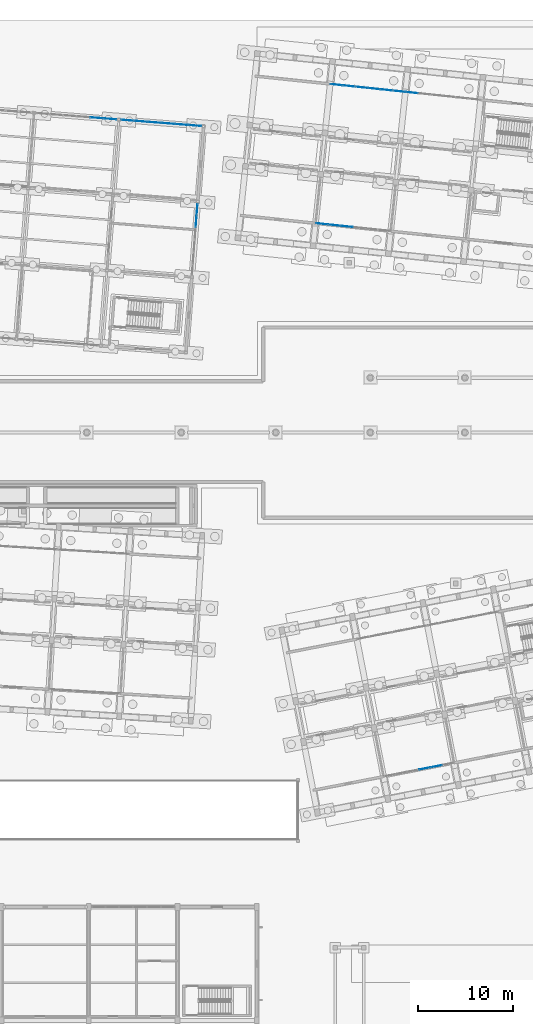
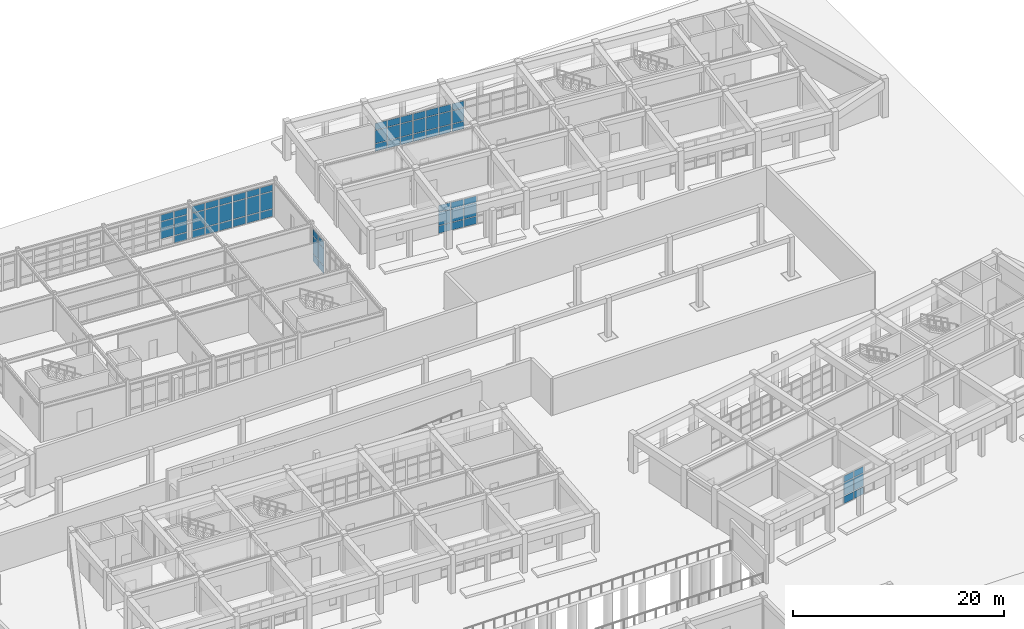
# One storey, part 112 of 154: 65 plates, 7 elements without a shape of their own.
"""IFC4 building model written with IfcOpenShell, lengths in metres."""

from ifc_helpers import new_model, si_unit, direction, frame, origin, origin_2d, place, context, subcontext, project, spatial, rectangle, extrude, material, layer, layer_set, type_object, element, aggregate, save


model = new_model("IFC4")

# Units and contexts
model_context = context("Model", 3, precision=1e-05, world=origin(), true_north=direction((0.0, 1.0)))
body_context = subcontext(model_context, "Body", "Model", "MODEL_VIEW")
ifc_project = project(units=[si_unit("LENGTHUNIT", "METRE"), si_unit("AREAUNIT", "SQUARE_METRE"), si_unit("VOLUMEUNIT", "CUBIC_METRE"), si_unit("PLANEANGLEUNIT", "RADIAN"), si_unit("MASSUNIT", "GRAM", prefix="KILO")], contexts=[model_context])

# Site, building, storey
site_placement = place(None, origin())
site = spatial("IfcSite", under=ifc_project, at=site_placement, CompositionType="ELEMENT")
building_placement = place(site_placement, origin())
building = spatial("IfcBuilding", under=site, at=building_placement, Name="Kestramere Prow Commons", CompositionType="ELEMENT")
storey_placement = place(building_placement, origin())
storey = spatial("IfcBuildingStorey", under=building, at=storey_placement, Name="L00", CompositionType="ELEMENT", Elevation=0.0)

# Curtain wall, plates
ifc_material_1 = material(Name="Anodised Aluminium and Low-E Glass", Category="aluminium")
curtain_wall_type_1 = type_object("IfcCurtainWallType", Name="CW-05 Glazed Curtain Wall 7980x3350", PredefinedType="USERDEFINED", material=ifc_material_1)
curtain_wall_1_placement = place(storey_placement, origin())
curtain_wall_1 = element("IfcCurtainWall", 1, at=curtain_wall_1_placement, inside=storey, type_object=curtain_wall_type_1, Name="Block B L00 South Colonnade Storefront 2", ObjectType="GLAZED CURTAIN WALL", PredefinedType="USERDEFINED")
ifc_material_2 = material(Name="Low-E Laminated Double Glazing", Category="glass")
ifc_layer = layer(ifc_material_2, 0.028076171875)
ifc_layer_set = layer_set([ifc_layer], Name="Low-E Laminated Double Glazing")
plate_type = type_object("IfcPlateType", Name="CW-PNL-28", PredefinedType="CURTAIN_PANEL", material=ifc_layer_set)
plate_1_placement = place(storey_placement, frame((121.523681640625, 96.001953125, 0.06494140625), z_axis=(0.0, 0.0, 1.0), x_axis=(-0.994521883132, 0.104528579686, 0.0)))
plate_1 = element("IfcPlate", 2, at=plate_1_placement, type_object=plate_type, Name="CW-05 panel 4.1", PredefinedType="CURTAIN_PANEL", context=body_context, shape_type="SweptSolid", body=[
    extrude(rectangle(XDim=1.264892578125, YDim=0.028076171875, at=origin_2d()), origin(), (0.0, 0.0, 1.0), 0.8525390625),
])
plate_2_placement = place(storey_placement, frame((121.523681640625, 96.001953125, 0.982421875), z_axis=(0.0, 0.0, 1.0), x_axis=(-0.994521883132, 0.104528579686, 0.0)))
plate_2 = element("IfcPlate", 3, at=plate_2_placement, type_object=plate_type, Name="CW-05 panel 4.2", PredefinedType="CURTAIN_PANEL", context=body_context, shape_type="SweptSolid", body=[
    extrude(rectangle(XDim=1.264892578125, YDim=0.028076171875, at=origin_2d()), origin(), (0.0, 0.0, 1.0), 1.485107421875),
])
plate_3_placement = place(storey_placement, frame((121.523681640625, 96.001953125, 2.532470703125), z_axis=(0.0, 0.0, 1.0), x_axis=(-0.994521883132, 0.104528579686, 0.0)))
plate_3 = element("IfcPlate", 4, at=plate_3_placement, type_object=plate_type, Name="CW-05 panel 4.3", PredefinedType="CURTAIN_PANEL", context=body_context, shape_type="SweptSolid", body=[
    extrude(rectangle(XDim=1.264892578125, YDim=0.028076171875, at=origin_2d()), origin(), (0.0, 0.0, 1.0), 0.75244140625),
])
plate_4_placement = place(storey_placement, frame((120.201171875, 96.14111328125, 0.06494140625), z_axis=(0.0, 0.0, 1.0), x_axis=(-0.994521883132, 0.104528579686, 0.0)))
plate_4 = element("IfcPlate", 5, at=plate_4_placement, type_object=plate_type, Name="CW-05 panel 5.1", PredefinedType="CURTAIN_PANEL", context=body_context, shape_type="SweptSolid", body=[
    extrude(rectangle(XDim=1.264892578125, YDim=0.028076171875, at=origin_2d()), origin(), (0.0, 0.0, 1.0), 0.8525390625),
])
plate_5_placement = place(storey_placement, frame((120.201171875, 96.14111328125, 0.982421875), z_axis=(0.0, 0.0, 1.0), x_axis=(-0.994521883132, 0.104528579686, 0.0)))
plate_5 = element("IfcPlate", 6, at=plate_5_placement, type_object=plate_type, Name="CW-05 panel 5.2", PredefinedType="CURTAIN_PANEL", context=body_context, shape_type="SweptSolid", body=[
    extrude(rectangle(XDim=1.264892578125, YDim=0.028076171875, at=origin_2d()), origin(), (0.0, 0.0, 1.0), 1.485107421875),
])
plate_6_placement = place(storey_placement, frame((120.201171875, 96.14111328125, 2.532470703125), z_axis=(0.0, 0.0, 1.0), x_axis=(-0.994521883132, 0.104528579686, 0.0)))
plate_6 = element("IfcPlate", 7, at=plate_6_placement, type_object=plate_type, Name="CW-05 panel 5.3", PredefinedType="CURTAIN_PANEL", context=body_context, shape_type="SweptSolid", body=[
    extrude(rectangle(XDim=1.264892578125, YDim=0.028076171875, at=origin_2d()), origin(), (0.0, 0.0, 1.0), 0.75244140625),
])
plate_7_placement = place(storey_placement, frame((118.89453125, 96.2783203125, 0.06494140625), z_axis=(0.0, 0.0, 1.0), x_axis=(-0.994521883132, 0.104528579686, 0.0)))
plate_7 = element("IfcPlate", 8, at=plate_7_placement, type_object=plate_type, Name="CW-05 panel 6.1", PredefinedType="CURTAIN_PANEL", context=body_context, shape_type="SweptSolid", body=[
    extrude(rectangle(XDim=1.232421875, YDim=0.028076171875, at=origin_2d()), origin(), (0.0, 0.0, 1.0), 0.8525390625),
])
plate_8_placement = place(storey_placement, frame((118.89453125, 96.2783203125, 0.982421875), z_axis=(0.0, 0.0, 1.0), x_axis=(-0.994521883132, 0.104528579686, 0.0)))
plate_8 = element("IfcPlate", 9, at=plate_8_placement, type_object=plate_type, Name="CW-05 panel 6.2", PredefinedType="CURTAIN_PANEL", context=body_context, shape_type="SweptSolid", body=[
    extrude(rectangle(XDim=1.232421875, YDim=0.028076171875, at=origin_2d()), origin(), (0.0, 0.0, 1.0), 1.485107421875),
])
plate_9_placement = place(storey_placement, frame((118.89453125, 96.2783203125, 2.532470703125), z_axis=(0.0, 0.0, 1.0), x_axis=(-0.994521883132, 0.104528579686, 0.0)))
plate_9 = element("IfcPlate", 10, at=plate_9_placement, type_object=plate_type, Name="CW-05 panel 6.3", PredefinedType="CURTAIN_PANEL", context=body_context, shape_type="SweptSolid", body=[
    extrude(rectangle(XDim=1.232421875, YDim=0.028076171875, at=origin_2d()), origin(), (0.0, 0.0, 1.0), 0.75244140625),
])
aggregate(curtain_wall_1, [plate_1, plate_2, plate_3, plate_4, plate_5, plate_6, plate_7, plate_8, plate_9])

curtain_wall_2_placement = place(storey_placement, origin())
curtain_wall_2 = element("IfcCurtainWall", 11, at=curtain_wall_2_placement, inside=storey, type_object=curtain_wall_type_1, Name="Block B L00 North Courtyard Storefront 2", ObjectType="GLAZED CURTAIN WALL", PredefinedType="USERDEFINED")
plate_10_placement = place(storey_placement, frame((120.44140625, 110.997314453125, 0.06494140625), z_axis=(0.0, 0.0, 1.0), x_axis=(0.994521884501, -0.104528566667, 0.0)))
plate_10 = element("IfcPlate", 12, at=plate_10_placement, type_object=plate_type, Name="CW-05 panel 1.1", PredefinedType="CURTAIN_PANEL", context=body_context, shape_type="SweptSolid", body=[
    extrude(rectangle(XDim=1.232421875, YDim=0.028076171875, at=origin_2d()), origin(), (0.0, 0.0, 1.0), 0.8525390625),
])
plate_11_placement = place(storey_placement, frame((120.44140625, 110.997314453125, 0.982421875), z_axis=(0.0, 0.0, 1.0), x_axis=(0.994521884501, -0.104528566667, 0.0)))
plate_11 = element("IfcPlate", 13, at=plate_11_placement, type_object=plate_type, Name="CW-05 panel 1.2", PredefinedType="CURTAIN_PANEL", context=body_context, shape_type="SweptSolid", body=[
    extrude(rectangle(XDim=1.232421875, YDim=0.028076171875, at=origin_2d()), origin(), (0.0, 0.0, 1.0), 1.485107421875),
])
plate_12_placement = place(storey_placement, frame((120.44140625, 110.997314453125, 2.532470703125), z_axis=(0.0, 0.0, 1.0), x_axis=(0.994521884501, -0.104528566667, 0.0)))
plate_12 = element("IfcPlate", 14, at=plate_12_placement, type_object=plate_type, Name="CW-05 panel 1.3", PredefinedType="CURTAIN_PANEL", context=body_context, shape_type="SweptSolid", body=[
    extrude(rectangle(XDim=1.232421875, YDim=0.028076171875, at=origin_2d()), origin(), (0.0, 0.0, 1.0), 0.75244140625),
])
plate_13_placement = place(storey_placement, frame((121.748046875, 110.85986328125, 0.06494140625), z_axis=(0.0, 0.0, 1.0), x_axis=(0.994521884501, -0.104528566667, 0.0)))
plate_13 = element("IfcPlate", 15, at=plate_13_placement, type_object=plate_type, Name="CW-05 panel 2.1", PredefinedType="CURTAIN_PANEL", context=body_context, shape_type="SweptSolid", body=[
    extrude(rectangle(XDim=1.264892578125, YDim=0.028076171875, at=origin_2d()), origin(), (0.0, 0.0, 1.0), 0.8525390625),
])
plate_14_placement = place(storey_placement, frame((121.748046875, 110.85986328125, 0.982421875), z_axis=(0.0, 0.0, 1.0), x_axis=(0.994521884501, -0.104528566667, 0.0)))
plate_14 = element("IfcPlate", 16, at=plate_14_placement, type_object=plate_type, Name="CW-05 panel 2.2", PredefinedType="CURTAIN_PANEL", context=body_context, shape_type="SweptSolid", body=[
    extrude(rectangle(XDim=1.264892578125, YDim=0.028076171875, at=origin_2d()), origin(), (0.0, 0.0, 1.0), 1.485107421875),
])
plate_15_placement = place(storey_placement, frame((121.748046875, 110.85986328125, 2.532470703125), z_axis=(0.0, 0.0, 1.0), x_axis=(0.994521884501, -0.104528566667, 0.0)))
plate_15 = element("IfcPlate", 17, at=plate_15_placement, type_object=plate_type, Name="CW-05 panel 2.3", PredefinedType="CURTAIN_PANEL", context=body_context, shape_type="SweptSolid", body=[
    extrude(rectangle(XDim=1.264892578125, YDim=0.028076171875, at=origin_2d()), origin(), (0.0, 0.0, 1.0), 0.75244140625),
])
plate_16_placement = place(storey_placement, frame((123.07080078125, 110.720947265625, 0.06494140625), z_axis=(0.0, 0.0, 1.0), x_axis=(0.994521884501, -0.104528566667, 0.0)))
plate_16 = element("IfcPlate", 18, at=plate_16_placement, type_object=plate_type, Name="CW-05 panel 3.1", PredefinedType="CURTAIN_PANEL", context=body_context, shape_type="SweptSolid", body=[
    extrude(rectangle(XDim=1.264892578125, YDim=0.028076171875, at=origin_2d()), origin(), (0.0, 0.0, 1.0), 0.8525390625),
])
plate_17_placement = place(storey_placement, frame((123.07080078125, 110.720947265625, 0.982421875), z_axis=(0.0, 0.0, 1.0), x_axis=(0.994521884501, -0.104528566667, 0.0)))
plate_17 = element("IfcPlate", 19, at=plate_17_placement, type_object=plate_type, Name="CW-05 panel 3.2", PredefinedType="CURTAIN_PANEL", context=body_context, shape_type="SweptSolid", body=[
    extrude(rectangle(XDim=1.264892578125, YDim=0.028076171875, at=origin_2d()), origin(), (0.0, 0.0, 1.0), 1.485107421875),
])
plate_18_placement = place(storey_placement, frame((123.07080078125, 110.720947265625, 2.532470703125), z_axis=(0.0, 0.0, 1.0), x_axis=(0.994521884501, -0.104528566667, 0.0)))
plate_18 = element("IfcPlate", 20, at=plate_18_placement, type_object=plate_type, Name="CW-05 panel 3.3", PredefinedType="CURTAIN_PANEL", context=body_context, shape_type="SweptSolid", body=[
    extrude(rectangle(XDim=1.264892578125, YDim=0.028076171875, at=origin_2d()), origin(), (0.0, 0.0, 1.0), 0.75244140625),
])
plate_19_placement = place(storey_placement, frame((124.3935546875, 110.58203125, 0.06494140625), z_axis=(0.0, 0.0, 1.0), x_axis=(0.994521884501, -0.104528566667, 0.0)))
plate_19 = element("IfcPlate", 21, at=plate_19_placement, type_object=plate_type, Name="CW-05 panel 4.1", PredefinedType="CURTAIN_PANEL", context=body_context, shape_type="SweptSolid", body=[
    extrude(rectangle(XDim=1.264892578125, YDim=0.028076171875, at=origin_2d()), origin(), (0.0, 0.0, 1.0), 0.8525390625),
])
plate_20_placement = place(storey_placement, frame((124.3935546875, 110.58203125, 0.982421875), z_axis=(0.0, 0.0, 1.0), x_axis=(0.994521884501, -0.104528566667, 0.0)))
plate_20 = element("IfcPlate", 22, at=plate_20_placement, type_object=plate_type, Name="CW-05 panel 4.2", PredefinedType="CURTAIN_PANEL", context=body_context, shape_type="SweptSolid", body=[
    extrude(rectangle(XDim=1.264892578125, YDim=0.028076171875, at=origin_2d()), origin(), (0.0, 0.0, 1.0), 1.485107421875),
])
plate_21_placement = place(storey_placement, frame((124.3935546875, 110.58203125, 2.532470703125), z_axis=(0.0, 0.0, 1.0), x_axis=(0.994521884501, -0.104528566667, 0.0)))
plate_21 = element("IfcPlate", 23, at=plate_21_placement, type_object=plate_type, Name="CW-05 panel 4.3", PredefinedType="CURTAIN_PANEL", context=body_context, shape_type="SweptSolid", body=[
    extrude(rectangle(XDim=1.264892578125, YDim=0.028076171875, at=origin_2d()), origin(), (0.0, 0.0, 1.0), 0.75244140625),
])
plate_22_placement = place(storey_placement, frame((125.71630859375, 110.44287109375, 0.06494140625), z_axis=(0.0, 0.0, 1.0), x_axis=(0.994521884501, -0.104528566667, 0.0)))
plate_22 = element("IfcPlate", 24, at=plate_22_placement, type_object=plate_type, Name="CW-05 panel 5.1", PredefinedType="CURTAIN_PANEL", context=body_context, shape_type="SweptSolid", body=[
    extrude(rectangle(XDim=1.264892578125, YDim=0.028076171875, at=origin_2d()), origin(), (0.0, 0.0, 1.0), 0.8525390625),
])
plate_23_placement = place(storey_placement, frame((125.71630859375, 110.44287109375, 0.982421875), z_axis=(0.0, 0.0, 1.0), x_axis=(0.994521884501, -0.104528566667, 0.0)))
plate_23 = element("IfcPlate", 25, at=plate_23_placement, type_object=plate_type, Name="CW-05 panel 5.2", PredefinedType="CURTAIN_PANEL", context=body_context, shape_type="SweptSolid", body=[
    extrude(rectangle(XDim=1.264892578125, YDim=0.028076171875, at=origin_2d()), origin(), (0.0, 0.0, 1.0), 1.485107421875),
])
plate_24_placement = place(storey_placement, frame((125.71630859375, 110.44287109375, 2.532470703125), z_axis=(0.0, 0.0, 1.0), x_axis=(0.994521884501, -0.104528566667, 0.0)))
plate_24 = element("IfcPlate", 26, at=plate_24_placement, type_object=plate_type, Name="CW-05 panel 5.3", PredefinedType="CURTAIN_PANEL", context=body_context, shape_type="SweptSolid", body=[
    extrude(rectangle(XDim=1.264892578125, YDim=0.028076171875, at=origin_2d()), origin(), (0.0, 0.0, 1.0), 0.75244140625),
])
plate_25_placement = place(storey_placement, frame((127.022705078125, 110.3056640625, 0.06494140625), z_axis=(0.0, 0.0, 1.0), x_axis=(0.994521884501, -0.104528566667, 0.0)))
plate_25 = element("IfcPlate", 27, at=plate_25_placement, type_object=plate_type, Name="CW-05 panel 6.1", PredefinedType="CURTAIN_PANEL", context=body_context, shape_type="SweptSolid", body=[
    extrude(rectangle(XDim=1.232421875, YDim=0.028076171875, at=origin_2d()), origin(), (0.0, 0.0, 1.0), 0.8525390625),
])
plate_26_placement = place(storey_placement, frame((127.022705078125, 110.3056640625, 0.982421875), z_axis=(0.0, 0.0, 1.0), x_axis=(0.994521884501, -0.104528566667, 0.0)))
plate_26 = element("IfcPlate", 28, at=plate_26_placement, type_object=plate_type, Name="CW-05 panel 6.2", PredefinedType="CURTAIN_PANEL", context=body_context, shape_type="SweptSolid", body=[
    extrude(rectangle(XDim=1.232421875, YDim=0.028076171875, at=origin_2d()), origin(), (0.0, 0.0, 1.0), 1.485107421875),
])
plate_27_placement = place(storey_placement, frame((127.022705078125, 110.3056640625, 2.532470703125), z_axis=(0.0, 0.0, 1.0), x_axis=(0.994521884501, -0.104528566667, 0.0)))
plate_27 = element("IfcPlate", 29, at=plate_27_placement, type_object=plate_type, Name="CW-05 panel 6.3", PredefinedType="CURTAIN_PANEL", context=body_context, shape_type="SweptSolid", body=[
    extrude(rectangle(XDim=1.232421875, YDim=0.028076171875, at=origin_2d()), origin(), (0.0, 0.0, 1.0), 0.75244140625),
])
aggregate(curtain_wall_2, [plate_10, plate_11, plate_12, plate_13, plate_14, plate_15, plate_16, plate_17, plate_18, plate_19, plate_20, plate_21, plate_22, plate_23, plate_24, plate_25, plate_26, plate_27])

curtain_wall_3_placement = place(storey_placement, origin())
curtain_wall_3 = element("IfcCurtainWall", 30, at=curtain_wall_3_placement, inside=storey, type_object=curtain_wall_type_1, Name="Block B L00 North Courtyard Storefront 3", ObjectType="GLAZED CURTAIN WALL", PredefinedType="USERDEFINED")
plate_28_placement = place(storey_placement, frame((128.397705078125, 110.1611328125, 0.06494140625), z_axis=(0.0, 0.0, 1.0), x_axis=(0.994521897528, -0.104528442716, 0.0)))
plate_28 = element("IfcPlate", 31, at=plate_28_placement, type_object=plate_type, Name="CW-05 panel 1.1", PredefinedType="CURTAIN_PANEL", context=body_context, shape_type="SweptSolid", body=[
    extrude(rectangle(XDim=1.232421875, YDim=0.028076171875, at=origin_2d()), origin(), (0.0, 0.0, 1.0), 0.8525390625),
])
plate_29_placement = place(storey_placement, frame((128.397705078125, 110.1611328125, 0.982421875), z_axis=(0.0, 0.0, 1.0), x_axis=(0.994521897528, -0.104528442716, 0.0)))
plate_29 = element("IfcPlate", 32, at=plate_29_placement, type_object=plate_type, Name="CW-05 panel 1.2", PredefinedType="CURTAIN_PANEL", context=body_context, shape_type="SweptSolid", body=[
    extrude(rectangle(XDim=1.232421875, YDim=0.028076171875, at=origin_2d()), origin(), (0.0, 0.0, 1.0), 1.485107421875),
])
plate_30_placement = place(storey_placement, frame((128.397705078125, 110.1611328125, 2.532470703125), z_axis=(0.0, 0.0, 1.0), x_axis=(0.994521897528, -0.104528442716, 0.0)))
plate_30 = element("IfcPlate", 33, at=plate_30_placement, type_object=plate_type, Name="CW-05 panel 1.3", PredefinedType="CURTAIN_PANEL", context=body_context, shape_type="SweptSolid", body=[
    extrude(rectangle(XDim=1.232421875, YDim=0.028076171875, at=origin_2d()), origin(), (0.0, 0.0, 1.0), 0.75244140625),
])
aggregate(curtain_wall_3, [plate_28, plate_29, plate_30])

curtain_wall_type_2 = type_object("IfcCurtainWallType", Name="CW-07 Glazed Curtain Wall 7580x3350", PredefinedType="USERDEFINED", material=ifc_material_1)
curtain_wall_4_placement = place(storey_placement, origin())
curtain_wall_4 = element("IfcCurtainWall", 34, at=curtain_wall_4_placement, inside=storey, type_object=curtain_wall_type_2, Name="Block D L00 South Colonnade Storefront 2", ObjectType="GLAZED CURTAIN WALL", PredefinedType="USERDEFINED")
plate_31_placement = place(storey_placement, frame((130.99267578125, 38.892822265625, 0.06494140625), z_axis=(0.0, 0.0, 1.0), x_axis=(-0.981627187774, -0.190808973121, 0.0)))
plate_31 = element("IfcPlate", 35, at=plate_31_placement, type_object=plate_type, Name="CW-07 panel 2.1", PredefinedType="CURTAIN_PANEL", context=body_context, shape_type="SweptSolid", body=[
    extrude(rectangle(XDim=1.1982421875, YDim=0.028076171875, at=origin_2d()), origin(), (0.0, 0.0, 1.0), 0.8525390625),
])
plate_32_placement = place(storey_placement, frame((130.99267578125, 38.892822265625, 0.982421875), z_axis=(0.0, 0.0, 1.0), x_axis=(-0.981627187774, -0.190808973121, 0.0)))
plate_32 = element("IfcPlate", 36, at=plate_32_placement, type_object=plate_type, Name="CW-07 panel 2.2", PredefinedType="CURTAIN_PANEL", context=body_context, shape_type="SweptSolid", body=[
    extrude(rectangle(XDim=1.1982421875, YDim=0.028076171875, at=origin_2d()), origin(), (0.0, 0.0, 1.0), 1.485107421875),
])
plate_33_placement = place(storey_placement, frame((130.99267578125, 38.892822265625, 2.532470703125), z_axis=(0.0, 0.0, 1.0), x_axis=(-0.981627187774, -0.190808973121, 0.0)))
plate_33 = element("IfcPlate", 37, at=plate_33_placement, type_object=plate_type, Name="CW-07 panel 2.3", PredefinedType="CURTAIN_PANEL", context=body_context, shape_type="SweptSolid", body=[
    extrude(rectangle(XDim=1.1982421875, YDim=0.028076171875, at=origin_2d()), origin(), (0.0, 0.0, 1.0), 0.75244140625),
])
plate_34_placement = place(storey_placement, frame((129.752685546875, 38.651611328125, 0.06494140625), z_axis=(0.0, 0.0, 1.0), x_axis=(-0.981627187774, -0.190808973121, 0.0)))
plate_34 = element("IfcPlate", 38, at=plate_34_placement, type_object=plate_type, Name="CW-07 panel 3.1", PredefinedType="CURTAIN_PANEL", context=body_context, shape_type="SweptSolid", body=[
    extrude(rectangle(XDim=1.1982421875, YDim=0.028076171875, at=origin_2d()), origin(), (0.0, 0.0, 1.0), 0.8525390625),
])
plate_35_placement = place(storey_placement, frame((129.752685546875, 38.651611328125, 0.982421875), z_axis=(0.0, 0.0, 1.0), x_axis=(-0.981627187774, -0.190808973121, 0.0)))
plate_35 = element("IfcPlate", 39, at=plate_35_placement, type_object=plate_type, Name="CW-07 panel 3.2", PredefinedType="CURTAIN_PANEL", context=body_context, shape_type="SweptSolid", body=[
    extrude(rectangle(XDim=1.1982421875, YDim=0.028076171875, at=origin_2d()), origin(), (0.0, 0.0, 1.0), 1.485107421875),
])
plate_36_placement = place(storey_placement, frame((129.752685546875, 38.651611328125, 2.532470703125), z_axis=(0.0, 0.0, 1.0), x_axis=(-0.981627187774, -0.190808973121, 0.0)))
plate_36 = element("IfcPlate", 40, at=plate_36_placement, type_object=plate_type, Name="CW-07 panel 3.3", PredefinedType="CURTAIN_PANEL", context=body_context, shape_type="SweptSolid", body=[
    extrude(rectangle(XDim=1.1982421875, YDim=0.028076171875, at=origin_2d()), origin(), (0.0, 0.0, 1.0), 0.75244140625),
])
aggregate(curtain_wall_4, [plate_31, plate_32, plate_33, plate_34, plate_35, plate_36])

curtain_wall_type_3 = type_object("IfcCurtainWallType", Name="CW-13 Glazed Curtain Wall 8600x3830", PredefinedType="USERDEFINED", material=ifc_material_1)
curtain_wall_5_placement = place(storey_placement, origin())
curtain_wall_5 = element("IfcCurtainWall", 41, at=curtain_wall_5_placement, inside=storey, type_object=curtain_wall_type_3, Name="Nursery L00 North Garden Glazing 3", ObjectType="GLAZED CURTAIN WALL", PredefinedType="USERDEFINED")
plate_37_placement = place(storey_placement, frame((95.05712890625, 107.491943359375, 0.987548828125), z_axis=(0.0, 0.0, 1.0), x_axis=(0.996917335713, -0.078459070568, 0.0)))
plate_37 = element("IfcPlate", 42, at=plate_37_placement, type_object=plate_type, Name="CW-13 panel 5.2", PredefinedType="CURTAIN_PANEL", context=body_context, shape_type="SweptSolid", body=[
    extrude(rectangle(XDim=1.3583984375, YDim=0.028076171875, at=origin_2d()), origin(), (0.0, 0.0, 1.0), 1.955078125),
])
plate_38_placement = place(storey_placement, frame((95.05712890625, 107.491943359375, 3.017578125), z_axis=(0.0, 0.0, 1.0), x_axis=(0.996917335713, -0.078459070568, 0.0)))
plate_38 = element("IfcPlate", 43, at=plate_38_placement, type_object=plate_type, Name="CW-13 panel 5.3", PredefinedType="CURTAIN_PANEL", context=body_context, shape_type="SweptSolid", body=[
    extrude(rectangle(XDim=1.3583984375, YDim=0.028076171875, at=origin_2d()), origin(), (0.0, 0.0, 1.0), 0.737548828125),
])
plate_39_placement = place(storey_placement, frame((96.46728515625, 107.381103515625, 0.074951171875), z_axis=(0.0, 0.0, 1.0), x_axis=(0.996917335713, -0.078459070568, 0.0)))
plate_39 = element("IfcPlate", 44, at=plate_39_placement, type_object=plate_type, Name="CW-13 panel 6.1", PredefinedType="CURTAIN_PANEL", context=body_context, shape_type="SweptSolid", body=[
    extrude(rectangle(XDim=1.32080078125, YDim=0.028076171875, at=origin_2d()), origin(), (0.0, 0.0, 1.0), 0.83740234375),
])
plate_40_placement = place(storey_placement, frame((96.46728515625, 107.381103515625, 0.987548828125), z_axis=(0.0, 0.0, 1.0), x_axis=(0.996917335713, -0.078459070568, 0.0)))
plate_40 = element("IfcPlate", 45, at=plate_40_placement, type_object=plate_type, Name="CW-13 panel 6.2", PredefinedType="CURTAIN_PANEL", context=body_context, shape_type="SweptSolid", body=[
    extrude(rectangle(XDim=1.32080078125, YDim=0.028076171875, at=origin_2d()), origin(), (0.0, 0.0, 1.0), 1.955078125),
])
plate_41_placement = place(storey_placement, frame((96.46728515625, 107.381103515625, 3.017578125), z_axis=(0.0, 0.0, 1.0), x_axis=(0.996917335713, -0.078459070568, 0.0)))
plate_41 = element("IfcPlate", 46, at=plate_41_placement, type_object=plate_type, Name="CW-13 panel 6.3", PredefinedType="CURTAIN_PANEL", context=body_context, shape_type="SweptSolid", body=[
    extrude(rectangle(XDim=1.32080078125, YDim=0.028076171875, at=origin_2d()), origin(), (0.0, 0.0, 1.0), 0.737548828125),
])
aggregate(curtain_wall_5, [plate_37, plate_38, plate_39, plate_40, plate_41])

curtain_wall_6_placement = place(storey_placement, origin())
curtain_wall_6 = element("IfcCurtainWall", 47, at=curtain_wall_6_placement, inside=storey, type_object=curtain_wall_type_3, Name="Nursery L00 North Garden Glazing 4", ObjectType="GLAZED CURTAIN WALL", PredefinedType="USERDEFINED")
plate_42_placement = place(storey_placement, frame((98.332275390625, 107.234130859375, 0.074951171875), z_axis=(0.0, 0.0, 1.0), x_axis=(0.996917326618, -0.078459186136, 0.0)))
plate_42 = element("IfcPlate", 48, at=plate_42_placement, type_object=plate_type, Name="CW-13 panel 1.1", PredefinedType="CURTAIN_PANEL", context=body_context, shape_type="SweptSolid", body=[
    extrude(rectangle(XDim=1.32080078125, YDim=0.028076171875, at=origin_2d()), origin(), (0.0, 0.0, 1.0), 0.83740234375),
])
plate_43_placement = place(storey_placement, frame((98.332275390625, 107.234130859375, 0.987548828125), z_axis=(0.0, 0.0, 1.0), x_axis=(0.996917326618, -0.078459186136, 0.0)))
plate_43 = element("IfcPlate", 49, at=plate_43_placement, type_object=plate_type, Name="CW-13 panel 1.2", PredefinedType="CURTAIN_PANEL", context=body_context, shape_type="SweptSolid", body=[
    extrude(rectangle(XDim=1.32080078125, YDim=0.028076171875, at=origin_2d()), origin(), (0.0, 0.0, 1.0), 1.955078125),
])
plate_44_placement = place(storey_placement, frame((98.332275390625, 107.234130859375, 3.017578125), z_axis=(0.0, 0.0, 1.0), x_axis=(0.996917326618, -0.078459186136, 0.0)))
plate_44 = element("IfcPlate", 50, at=plate_44_placement, type_object=plate_type, Name="CW-13 panel 1.3", PredefinedType="CURTAIN_PANEL", context=body_context, shape_type="SweptSolid", body=[
    extrude(rectangle(XDim=1.32080078125, YDim=0.028076171875, at=origin_2d()), origin(), (0.0, 0.0, 1.0), 0.737548828125),
])
plate_45_placement = place(storey_placement, frame((99.742431640625, 107.123291015625, 0.074951171875), z_axis=(0.0, 0.0, 1.0), x_axis=(0.996917326618, -0.078459186136, 0.0)))
plate_45 = element("IfcPlate", 51, at=plate_45_placement, type_object=plate_type, Name="CW-13 panel 2.1", PredefinedType="CURTAIN_PANEL", context=body_context, shape_type="SweptSolid", body=[
    extrude(rectangle(XDim=1.3583984375, YDim=0.028076171875, at=origin_2d()), origin(), (0.0, 0.0, 1.0), 0.83740234375),
])
plate_46_placement = place(storey_placement, frame((99.742431640625, 107.123291015625, 0.987548828125), z_axis=(0.0, 0.0, 1.0), x_axis=(0.996917326618, -0.078459186136, 0.0)))
plate_46 = element("IfcPlate", 52, at=plate_46_placement, type_object=plate_type, Name="CW-13 panel 2.2", PredefinedType="CURTAIN_PANEL", context=body_context, shape_type="SweptSolid", body=[
    extrude(rectangle(XDim=1.3583984375, YDim=0.028076171875, at=origin_2d()), origin(), (0.0, 0.0, 1.0), 1.955078125),
])
plate_47_placement = place(storey_placement, frame((99.742431640625, 107.123291015625, 3.017578125), z_axis=(0.0, 0.0, 1.0), x_axis=(0.996917326618, -0.078459186136, 0.0)))
plate_47 = element("IfcPlate", 53, at=plate_47_placement, type_object=plate_type, Name="CW-13 panel 2.3", PredefinedType="CURTAIN_PANEL", context=body_context, shape_type="SweptSolid", body=[
    extrude(rectangle(XDim=1.3583984375, YDim=0.028076171875, at=origin_2d()), origin(), (0.0, 0.0, 1.0), 0.737548828125),
])
plate_48_placement = place(storey_placement, frame((101.17138671875, 107.0107421875, 0.074951171875), z_axis=(0.0, 0.0, 1.0), x_axis=(0.996917326618, -0.078459186136, 0.0)))
plate_48 = element("IfcPlate", 54, at=plate_48_placement, type_object=plate_type, Name="CW-13 panel 3.1", PredefinedType="CURTAIN_PANEL", context=body_context, shape_type="SweptSolid", body=[
    extrude(rectangle(XDim=1.3583984375, YDim=0.028076171875, at=origin_2d()), origin(), (0.0, 0.0, 1.0), 0.83740234375),
])
plate_49_placement = place(storey_placement, frame((101.17138671875, 107.0107421875, 0.987548828125), z_axis=(0.0, 0.0, 1.0), x_axis=(0.996917326618, -0.078459186136, 0.0)))
plate_49 = element("IfcPlate", 55, at=plate_49_placement, type_object=plate_type, Name="CW-13 panel 3.2", PredefinedType="CURTAIN_PANEL", context=body_context, shape_type="SweptSolid", body=[
    extrude(rectangle(XDim=1.3583984375, YDim=0.028076171875, at=origin_2d()), origin(), (0.0, 0.0, 1.0), 1.955078125),
])
plate_50_placement = place(storey_placement, frame((101.17138671875, 107.0107421875, 3.017578125), z_axis=(0.0, 0.0, 1.0), x_axis=(0.996917326618, -0.078459186136, 0.0)))
plate_50 = element("IfcPlate", 56, at=plate_50_placement, type_object=plate_type, Name="CW-13 panel 3.3", PredefinedType="CURTAIN_PANEL", context=body_context, shape_type="SweptSolid", body=[
    extrude(rectangle(XDim=1.3583984375, YDim=0.028076171875, at=origin_2d()), origin(), (0.0, 0.0, 1.0), 0.737548828125),
])
plate_51_placement = place(storey_placement, frame((102.600341796875, 106.8984375, 0.074951171875), z_axis=(0.0, 0.0, 1.0), x_axis=(0.996917326618, -0.078459186136, 0.0)))
plate_51 = element("IfcPlate", 57, at=plate_51_placement, type_object=plate_type, Name="CW-13 panel 4.1", PredefinedType="CURTAIN_PANEL", context=body_context, shape_type="SweptSolid", body=[
    extrude(rectangle(XDim=1.3583984375, YDim=0.028076171875, at=origin_2d()), origin(), (0.0, 0.0, 1.0), 0.83740234375),
])
plate_52_placement = place(storey_placement, frame((102.600341796875, 106.8984375, 0.987548828125), z_axis=(0.0, 0.0, 1.0), x_axis=(0.996917326618, -0.078459186136, 0.0)))
plate_52 = element("IfcPlate", 58, at=plate_52_placement, type_object=plate_type, Name="CW-13 panel 4.2", PredefinedType="CURTAIN_PANEL", context=body_context, shape_type="SweptSolid", body=[
    extrude(rectangle(XDim=1.3583984375, YDim=0.028076171875, at=origin_2d()), origin(), (0.0, 0.0, 1.0), 1.955078125),
])
plate_53_placement = place(storey_placement, frame((102.600341796875, 106.8984375, 3.017578125), z_axis=(0.0, 0.0, 1.0), x_axis=(0.996917326618, -0.078459186136, 0.0)))
plate_53 = element("IfcPlate", 59, at=plate_53_placement, type_object=plate_type, Name="CW-13 panel 4.3", PredefinedType="CURTAIN_PANEL", context=body_context, shape_type="SweptSolid", body=[
    extrude(rectangle(XDim=1.3583984375, YDim=0.028076171875, at=origin_2d()), origin(), (0.0, 0.0, 1.0), 0.737548828125),
])
plate_54_placement = place(storey_placement, frame((104.029296875, 106.785888671875, 0.074951171875), z_axis=(0.0, 0.0, 1.0), x_axis=(0.996917326618, -0.078459186136, 0.0)))
plate_54 = element("IfcPlate", 60, at=plate_54_placement, type_object=plate_type, Name="CW-13 panel 5.1", PredefinedType="CURTAIN_PANEL", context=body_context, shape_type="SweptSolid", body=[
    extrude(rectangle(XDim=1.3583984375, YDim=0.028076171875, at=origin_2d()), origin(), (0.0, 0.0, 1.0), 0.83740234375),
])
plate_55_placement = place(storey_placement, frame((104.029296875, 106.785888671875, 0.987548828125), z_axis=(0.0, 0.0, 1.0), x_axis=(0.996917326618, -0.078459186136, 0.0)))
plate_55 = element("IfcPlate", 61, at=plate_55_placement, type_object=plate_type, Name="CW-13 panel 5.2", PredefinedType="CURTAIN_PANEL", context=body_context, shape_type="SweptSolid", body=[
    extrude(rectangle(XDim=1.3583984375, YDim=0.028076171875, at=origin_2d()), origin(), (0.0, 0.0, 1.0), 1.955078125),
])
plate_56_placement = place(storey_placement, frame((104.029296875, 106.785888671875, 3.017578125), z_axis=(0.0, 0.0, 1.0), x_axis=(0.996917326618, -0.078459186136, 0.0)))
plate_56 = element("IfcPlate", 62, at=plate_56_placement, type_object=plate_type, Name="CW-13 panel 5.3", PredefinedType="CURTAIN_PANEL", context=body_context, shape_type="SweptSolid", body=[
    extrude(rectangle(XDim=1.3583984375, YDim=0.028076171875, at=origin_2d()), origin(), (0.0, 0.0, 1.0), 0.737548828125),
])
plate_57_placement = place(storey_placement, frame((105.439453125, 106.6748046875, 0.074951171875), z_axis=(0.0, 0.0, 1.0), x_axis=(0.996917326618, -0.078459186136, 0.0)))
plate_57 = element("IfcPlate", 63, at=plate_57_placement, type_object=plate_type, Name="CW-13 panel 6.1", PredefinedType="CURTAIN_PANEL", context=body_context, shape_type="SweptSolid", body=[
    extrude(rectangle(XDim=1.32080078125, YDim=0.028076171875, at=origin_2d()), origin(), (0.0, 0.0, 1.0), 0.83740234375),
])
plate_58_placement = place(storey_placement, frame((105.439453125, 106.6748046875, 0.987548828125), z_axis=(0.0, 0.0, 1.0), x_axis=(0.996917326618, -0.078459186136, 0.0)))
plate_58 = element("IfcPlate", 64, at=plate_58_placement, type_object=plate_type, Name="CW-13 panel 6.2", PredefinedType="CURTAIN_PANEL", context=body_context, shape_type="SweptSolid", body=[
    extrude(rectangle(XDim=1.32080078125, YDim=0.028076171875, at=origin_2d()), origin(), (0.0, 0.0, 1.0), 1.955078125),
])
plate_59_placement = place(storey_placement, frame((105.439453125, 106.6748046875, 3.017578125), z_axis=(0.0, 0.0, 1.0), x_axis=(0.996917326618, -0.078459186136, 0.0)))
plate_59 = element("IfcPlate", 65, at=plate_59_placement, type_object=plate_type, Name="CW-13 panel 6.3", PredefinedType="CURTAIN_PANEL", context=body_context, shape_type="SweptSolid", body=[
    extrude(rectangle(XDim=1.32080078125, YDim=0.028076171875, at=origin_2d()), origin(), (0.0, 0.0, 1.0), 0.737548828125),
])
aggregate(curtain_wall_6, [plate_42, plate_43, plate_44, plate_45, plate_46, plate_47, plate_48, plate_49, plate_50, plate_51, plate_52, plate_53, plate_54, plate_55, plate_56, plate_57, plate_58, plate_59])

curtain_wall_type_4 = type_object("IfcCurtainWallType", Name="CW-14 Glazed Curtain Wall 7600x3830", PredefinedType="USERDEFINED", material=ifc_material_1)
curtain_wall_7_placement = place(storey_placement, origin())
curtain_wall_7 = element("IfcCurtainWall", 66, at=curtain_wall_7_placement, inside=storey, type_object=curtain_wall_type_4, Name="Nursery L00 E End Glazing", ObjectType="GLAZED CURTAIN WALL", PredefinedType="USERDEFINED")
plate_60_placement = place(storey_placement, frame((105.677490234375, 97.776611328125, 0.074951171875), z_axis=(0.0, 0.0, 1.0), x_axis=(-0.078459086628, -0.996917334449, 0.0)))
plate_60 = element("IfcPlate", 67, at=plate_60_placement, type_object=plate_type, Name="CW-14 panel 1.1", PredefinedType="CURTAIN_PANEL", context=body_context, shape_type="SweptSolid", body=[
    extrude(rectangle(XDim=1.154052734375, YDim=0.028076171875, at=origin_2d()), origin(), (0.0, 0.0, 1.0), 0.83740234375),
])
plate_61_placement = place(storey_placement, frame((105.677490234375, 97.776611328125, 0.987548828125), z_axis=(0.0, 0.0, 1.0), x_axis=(-0.078459086628, -0.996917334449, 0.0)))
plate_61 = element("IfcPlate", 68, at=plate_61_placement, type_object=plate_type, Name="CW-14 panel 1.2", PredefinedType="CURTAIN_PANEL", context=body_context, shape_type="SweptSolid", body=[
    extrude(rectangle(XDim=1.154052734375, YDim=0.028076171875, at=origin_2d()), origin(), (0.0, 0.0, 1.0), 1.955078125),
])
plate_62_placement = place(storey_placement, frame((105.677490234375, 97.776611328125, 3.017578125), z_axis=(0.0, 0.0, 1.0), x_axis=(-0.078459086628, -0.996917334449, 0.0)))
plate_62 = element("IfcPlate", 69, at=plate_62_placement, type_object=plate_type, Name="CW-14 panel 1.3", PredefinedType="CURTAIN_PANEL", context=body_context, shape_type="SweptSolid", body=[
    extrude(rectangle(XDim=1.154052734375, YDim=0.028076171875, at=origin_2d()), origin(), (0.0, 0.0, 1.0), 0.737548828125),
])
plate_63_placement = place(storey_placement, frame((105.57958984375, 96.53271484375, 0.074951171875), z_axis=(0.0, 0.0, 1.0), x_axis=(-0.078459086628, -0.996917334449, 0.0)))
plate_63 = element("IfcPlate", 70, at=plate_63_placement, type_object=plate_type, Name="CW-14 panel 2.1", PredefinedType="CURTAIN_PANEL", context=body_context, shape_type="SweptSolid", body=[
    extrude(rectangle(XDim=1.191650390625, YDim=0.028076171875, at=origin_2d()), origin(), (0.0, 0.0, 1.0), 0.83740234375),
])
plate_64_placement = place(storey_placement, frame((105.57958984375, 96.53271484375, 0.987548828125), z_axis=(0.0, 0.0, 1.0), x_axis=(-0.078459086628, -0.996917334449, 0.0)))
plate_64 = element("IfcPlate", 71, at=plate_64_placement, type_object=plate_type, Name="CW-14 panel 2.2", PredefinedType="CURTAIN_PANEL", context=body_context, shape_type="SweptSolid", body=[
    extrude(rectangle(XDim=1.191650390625, YDim=0.028076171875, at=origin_2d()), origin(), (0.0, 0.0, 1.0), 1.955078125),
])
plate_65_placement = place(storey_placement, frame((105.57958984375, 96.53271484375, 3.017578125), z_axis=(0.0, 0.0, 1.0), x_axis=(-0.078459086628, -0.996917334449, 0.0)))
plate_65 = element("IfcPlate", 72, at=plate_65_placement, type_object=plate_type, Name="CW-14 panel 2.3", PredefinedType="CURTAIN_PANEL", context=body_context, shape_type="SweptSolid", body=[
    extrude(rectangle(XDim=1.191650390625, YDim=0.028076171875, at=origin_2d()), origin(), (0.0, 0.0, 1.0), 0.737548828125),
])
aggregate(curtain_wall_7, [plate_60, plate_61, plate_62, plate_63, plate_64, plate_65])

save(model, "model.ifc")
